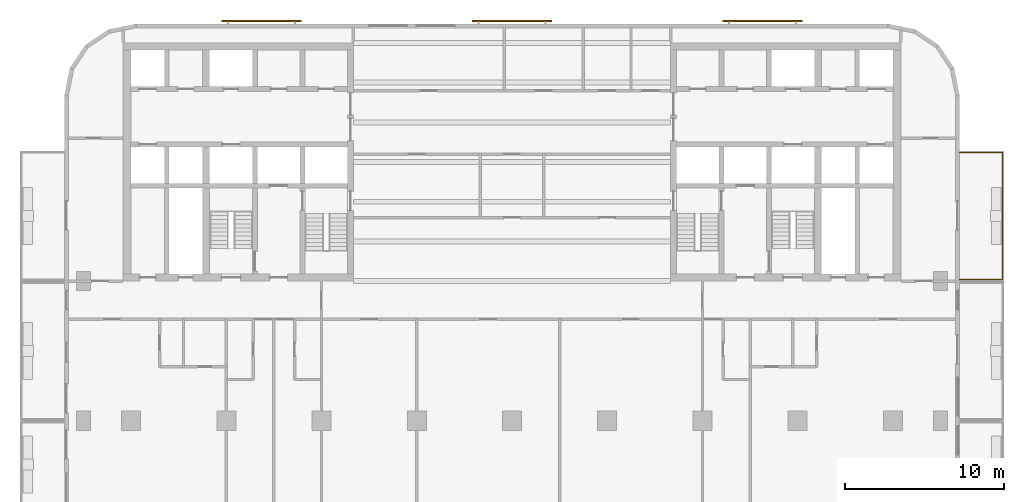
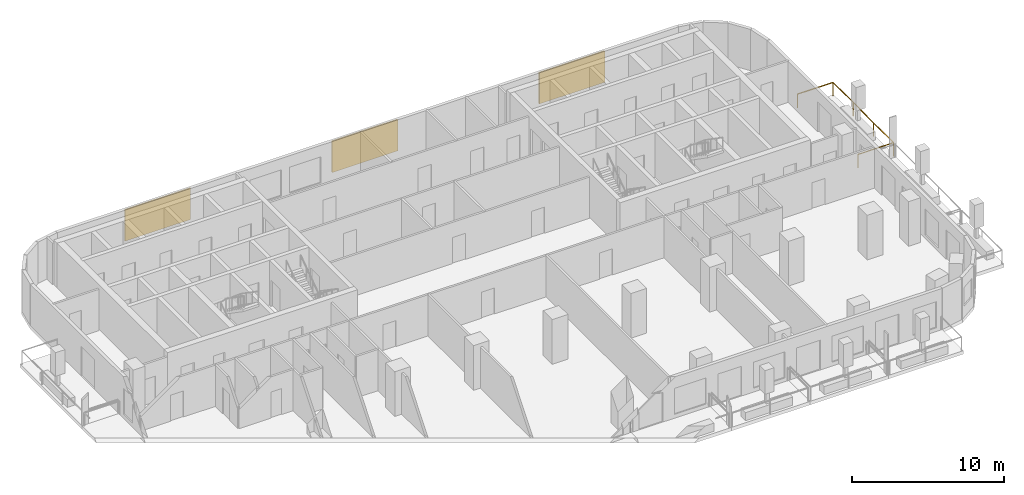
# One storey, part 10 of 11: 3 shading devices, 1 railing.
"""IFC4 building model written with IfcOpenShell, lengths in metres."""

from ifc_helpers import new_model, si_unit, direction, frame, origin, origin_2d, place, context, subcontext, project, spatial, rectangle, circle, extrude, material, layer, layer_set, type_object, element, save


model = new_model("IFC4")

# Units and contexts
model_context = context("Model", 3, precision=1e-05, world=origin(), true_north=direction((0.0, 1.0)))
body_context = subcontext(model_context, "Body", "Model", "MODEL_VIEW")
ifc_project = project(units=[si_unit("LENGTHUNIT", "METRE"), si_unit("AREAUNIT", "SQUARE_METRE"), si_unit("VOLUMEUNIT", "CUBIC_METRE"), si_unit("PLANEANGLEUNIT", "RADIAN"), si_unit("MASSUNIT", "GRAM", prefix="KILO")], contexts=[model_context])

# Site, building, storey
site_placement = place(None, origin())
site = spatial("IfcSite", under=ifc_project, at=site_placement, CompositionType="ELEMENT")
building_placement = place(site_placement, origin())
building = spatial("IfcBuilding", under=site, at=building_placement, Name="Torana Hotel and Residences", CompositionType="ELEMENT")
storey_placement = place(building_placement, frame((0.0, 0.0, 141.60009765625)))
storey = spatial("IfcBuildingStorey", under=building, at=storey_placement, Name="L36", CompositionType="ELEMENT", Elevation=141.60009765625)

# Railing
ifc_material_1 = material(Name="Laminated glass balustrade with black handrail", Category="glass")
railing_type = type_object("IfcRailingType", Name="GR1 BALCONY GUARD 1100 GLASS", PredefinedType="GUARDRAIL", material=ifc_material_1)
railing_placement = place(storey_placement, frame((28.199951171875, -6.89990234375, 0.0)))
element("IfcRailing", 1, at=railing_placement, inside=storey, type_object=railing_type, Name="Balcony guard 14", PredefinedType="GUARDRAIL", context=body_context, shape_type="SweptSolid", body=[
    extrude(circle(Radius=0.02392578125, at=origin_2d()), frame((0.0, 0.0, 1.076171875), z_axis=(1.0, 0.0, 0.0), x_axis=(0.0, 1.0, 0.0)), (0.0, 0.0, 1.0), 2.699951171875),
    extrude(circle(Radius=0.02392578125, at=origin_2d()), frame((2.699951171875, 0.0, 1.076171875), z_axis=(0.0, -1.0, 0.0), x_axis=(1.0, 0.0, 0.0)), (0.0, 0.0, 1.0), 8.0),
    extrude(circle(Radius=0.02392578125, at=origin_2d()), frame((2.699951171875, -8.0, 1.076171875), z_axis=(-1.0, 0.0, 0.0), x_axis=(0.0, -1.0, 0.0)), (0.0, 0.0, 1.0), 2.699951171875),
    extrude(circle(Radius=0.02099609375, at=origin_2d()), origin(), (0.0, 0.0, 1.0), 1.052001953125),
    extrude(circle(Radius=0.02099609375, at=origin_2d()), frame((2.699951171875, 0.0, 0.0)), (0.0, 0.0, 1.0), 1.052001953125),
    extrude(circle(Radius=0.02099609375, at=origin_2d()), frame((2.699951171875, -2.666748046875, 0.0)), (0.0, 0.0, 1.0), 1.052001953125),
    extrude(circle(Radius=0.02099609375, at=origin_2d()), frame((2.699951171875, -5.333251953125, 0.0)), (0.0, 0.0, 1.0), 1.052001953125),
    extrude(circle(Radius=0.02099609375, at=origin_2d()), frame((2.699951171875, -8.0, 0.0)), (0.0, 0.0, 1.0), 1.052001953125),
    extrude(circle(Radius=0.02099609375, at=origin_2d()), frame((0.0, -8.0, 0.0)), (0.0, 0.0, 1.0), 1.052001953125),
])

# Shading devices
ifc_material_2 = material(Name="Concrete C40/50 precast", Category="concrete")
ifc_layer = layer(ifc_material_2, 0.10009765625)
ifc_layer_set = layer_set([ifc_layer], Name="SC1 PERFORATED BLOCK SCREEN PANEL 100")
shading_device_type = type_object("IfcShadingDeviceType", Name="SC1 PERFORATED BLOCK SCREEN PANEL 100", PredefinedType="USERDEFINED", material=ifc_layer_set)
for number, where, z_axis, x_axis, name in (
    (2, (15.78369140625, 1.39990234375, 0.5), (0.0, 0.0, 1.0), (-1.0, 0.0, 0.0), "Perforated block screen L36"),
    (3, (0.0, 1.39990234375, 0.5), (0.0, 0.0, 1.0), (-1.0, 0.0, 0.0), "Perforated block screen L36"),
    (4, (-15.78369140625, 1.39990234375, 0.5), (0.0, 0.0, 1.0), (-1.0, 0.0, 0.0), "Perforated block screen L36"),
):
    element("IfcShadingDevice", number, at=place(storey_placement, frame(where, z_axis=z_axis, x_axis=x_axis)), inside=storey, type_object=shading_device_type, Name=name, ObjectType="SCREEN", PredefinedType="USERDEFINED", context=body_context, shape_type="SweptSolid", body=[
        extrude(rectangle(XDim=5.0, YDim=0.10009765625, at=origin_2d()), origin(), (0.0, 0.0, 1.0), 2.52001953125),
    ])

save(model, "model.ifc")
